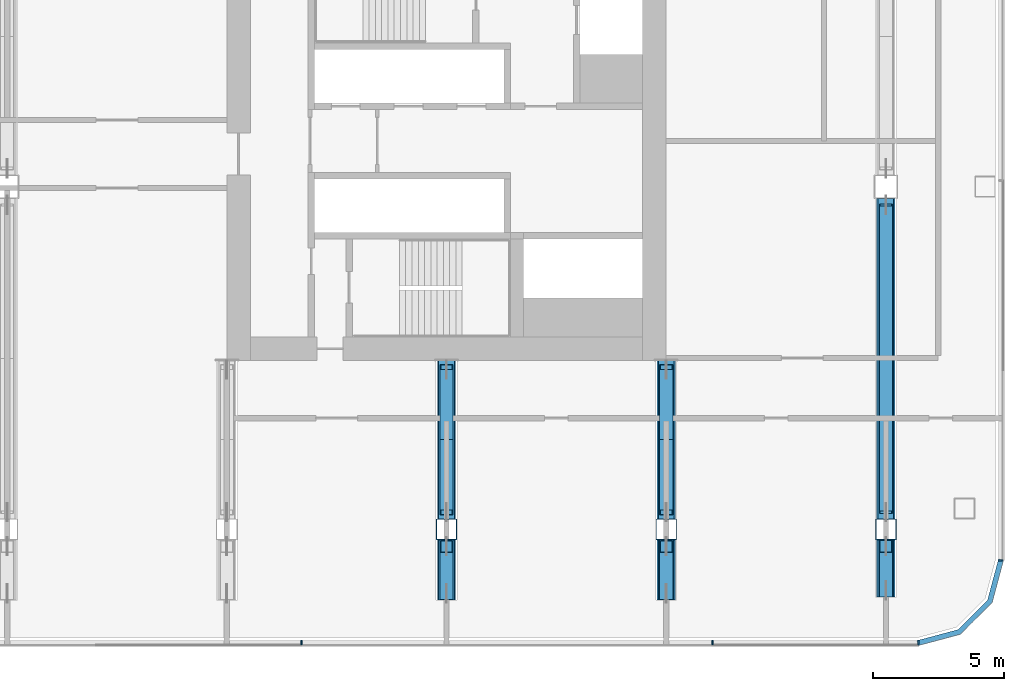
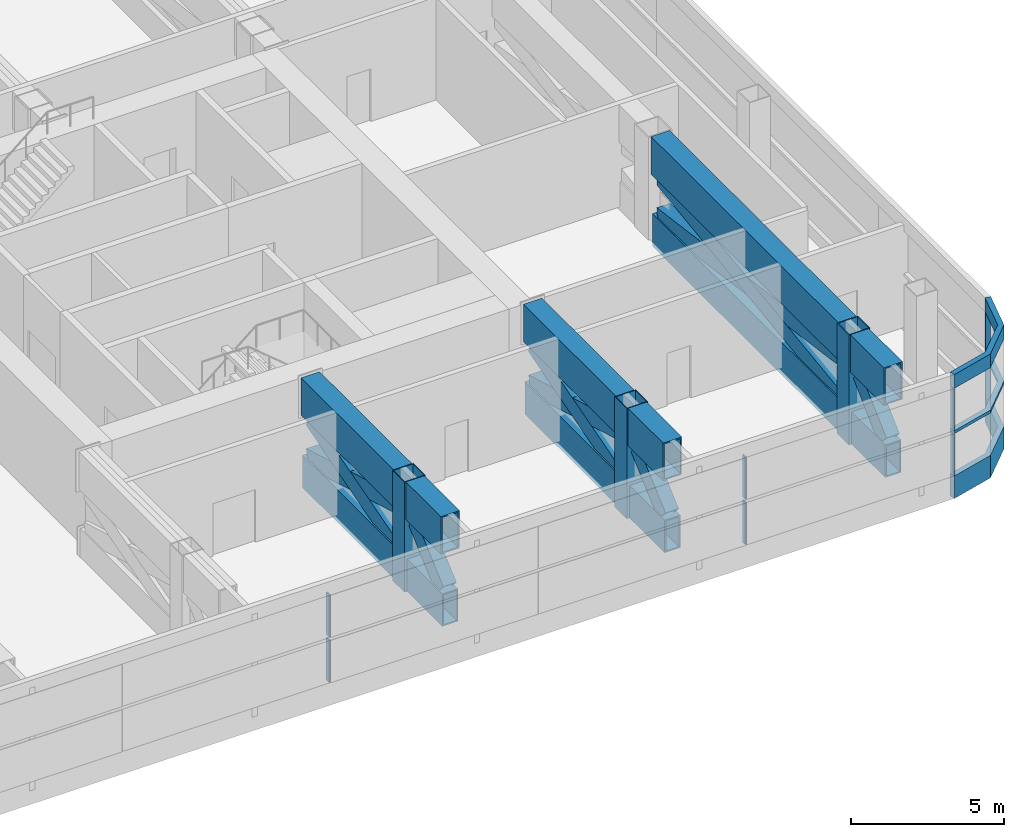
# One storey, part 13 of 31: 35 members, 3 elements without a shape of their own.
"""IFC4 building model written with IfcOpenShell, lengths in metres."""

from ifc_helpers import new_model, si_unit, direction, frame, origin, origin_2d, place, context, subcontext, project, spatial, polyline, rectangle, hollow_rectangle, outline, extrude, material, layer, layer_set, material_profile, profile_set, type_object, element, aggregate, save


model = new_model("IFC4")

# Units and contexts
model_context = context("Model", 3, precision=1e-05, world=origin(), true_north=direction((0.0, 1.0)))
body_context = subcontext(model_context, "Body", "Model", "MODEL_VIEW")
ifc_project = project(units=[si_unit("LENGTHUNIT", "METRE"), si_unit("AREAUNIT", "SQUARE_METRE"), si_unit("VOLUMEUNIT", "CUBIC_METRE"), si_unit("PLANEANGLEUNIT", "RADIAN"), si_unit("MASSUNIT", "GRAM", prefix="KILO")], contexts=[model_context])

# Site, building, storey
site_placement = place(None, origin())
site = spatial("IfcSite", under=ifc_project, at=site_placement, CompositionType="ELEMENT")
building_placement = place(site_placement, origin())
building = spatial("IfcBuilding", under=site, at=building_placement, Name="Hakoniwa Tower and Hamabe Station Hall", CompositionType="ELEMENT")
storey_placement = place(building_placement, frame((0.0, 0.0, 120.199951171875)))
storey = spatial("IfcBuildingStorey", under=building, at=storey_placement, Name="L34", CompositionType="ELEMENT", Elevation=120.199951171875)

# Curtain wall, members
ifc_material_1 = material(Name="Dark low-e laminated glass", Category="glass")
ifc_layer = layer(ifc_material_1, 0.199951171875)
ifc_layer_set = layer_set([ifc_layer], Name="CW-6 PLANT LOUVRE")
curtain_wall_type = type_object("IfcCurtainWallType", Name="CW-6 PLANT LOUVRE", PredefinedType="NOTDEFINED", material=ifc_layer_set)
curtain_wall_1_placement = place(storey_placement, origin())
curtain_wall_1 = element("IfcCurtainWall", 1, at=curtain_wall_1_placement, inside=storey, type_object=curtain_wall_type, Name="CW-6 curtain wall", PredefinedType="NOTDEFINED")
ifc_material_2 = material(Name="Aluminium 6063-T5 black anodised", Category="aluminium")
ifc_material_profile_1 = material_profile(ifc_material_2, rectangle(XDim=0.199951171875, YDim=0.550048828125, at=origin_2d()), Name="CW HEAD BAND 550X200")
ifc_profile_set_1 = profile_set([ifc_material_profile_1], Name="Aluminium 6063-T5 black anodised")
member_type_1 = type_object("IfcMemberType", Name="CW HEAD BAND 550X200", PredefinedType="USERDEFINED", material=ifc_profile_set_1)
member_1_placement = place(storey_placement, frame((0.0, 0.0, 3.85009765625)))
member_1 = element("IfcMember", 2, at=member_1_placement, type_object=member_type_1, Name="CW-6 transom", ObjectType="TRANSOM", PredefinedType="USERDEFINED", context=body_context, shape_type="SweptSolid", body=[
    extrude(outline(polyline([(43.239501953125, -19.300048828125), (44.855224609375, -18.866943359375), (46.067138671875, -17.6552734375), (46.5, -16.03955078125), (46.306884765625, -15.98779296875), (45.8876953125, -17.5517578125), (44.751708984375, -18.687744140625), (43.187744140625, -19.10693359375), (43.239501953125, -19.300048828125)])), origin(), (0.0, 0.0, 1.0), 0.550048828125),
])
ifc_material_3 = material(Name="Aluminium 6063-T5 black anodised", Category="aluminium")
ifc_material_profile_2 = material_profile(ifc_material_3, rectangle(XDim=0.199951171875, YDim=0.1201171875, at=origin_2d()), Name="CW MID TRANSOM 120X200")
ifc_profile_set_2 = profile_set([ifc_material_profile_2], Name="Aluminium 6063-T5 black anodised")
member_type_2 = type_object("IfcMemberType", Name="CW MID TRANSOM 120X200", PredefinedType="USERDEFINED", material=ifc_profile_set_2)
member_2_placement = place(storey_placement, frame((0.0, 0.0, 2.0400390625)))
member_2 = element("IfcMember", 3, at=member_2_placement, type_object=member_type_2, Name="CW-6 transom", ObjectType="TRANSOM", PredefinedType="USERDEFINED", context=body_context, shape_type="SweptSolid", body=[
    extrude(outline(polyline([(43.239501953125, -19.300048828125), (44.855224609375, -18.866943359375), (46.067138671875, -17.6552734375), (46.5, -16.03955078125), (46.306884765625, -15.98779296875), (45.8876953125, -17.5517578125), (44.751708984375, -18.687744140625), (43.187744140625, -19.10693359375), (43.239501953125, -19.300048828125)])), origin(), (0.0, 0.0, 1.0), 0.1201171875),
])
ifc_material_4 = material(Name="Aluminium 6063-T5 black anodised", Category="aluminium")
ifc_material_profile_3 = material_profile(ifc_material_4, rectangle(XDim=0.199951171875, YDim=0.89990234375, at=origin_2d()), Name="CW SLAB-EDGE BAND 900X200")
ifc_profile_set_3 = profile_set([ifc_material_profile_3], Name="Aluminium 6063-T5 black anodised")
member_type_3 = type_object("IfcMemberType", Name="CW SLAB-EDGE BAND 900X200", PredefinedType="USERDEFINED", material=ifc_profile_set_3)
member_3_placement = place(storey_placement, frame((0.0, 0.0, -0.550048828125)))
member_3 = element("IfcMember", 4, at=member_3_placement, type_object=member_type_3, Name="CW-6 transom", ObjectType="TRANSOM", PredefinedType="USERDEFINED", context=body_context, shape_type="SweptSolid", body=[
    extrude(outline(polyline([(43.239501953125, -19.300048828125), (44.855224609375, -18.866943359375), (46.067138671875, -17.6552734375), (46.5, -16.03955078125), (46.306884765625, -15.98779296875), (45.8876953125, -17.5517578125), (44.751708984375, -18.687744140625), (43.187744140625, -19.10693359375), (43.239501953125, -19.300048828125)])), origin(), (0.0, 0.0, 1.0), 0.900146484375),
])
aggregate(curtain_wall_1, [member_3, member_2, member_1])

curtain_wall_2_placement = place(storey_placement, origin())
curtain_wall_2 = element("IfcCurtainWall", 5, at=curtain_wall_2_placement, inside=storey, type_object=curtain_wall_type, Name="CW-6 curtain wall", PredefinedType="NOTDEFINED")
ifc_material_5 = material(Name="Aluminium 6063-T5 black anodised", Category="aluminium")
ifc_material_profile_4 = material_profile(ifc_material_5, rectangle(XDim=0.06005859375, YDim=0.179931640625, at=origin_2d()), Name="CW-1 MULLION 60X180")
ifc_profile_set_4 = profile_set([ifc_material_profile_4], Name="Aluminium 6063-T5 black anodised")
member_type_4 = type_object("IfcMemberType", Name="CW-1 MULLION 60X180", PredefinedType="MULLION", material=ifc_profile_set_4)
member_4_placement = place(storey_placement, frame((46.382080078125, -16.03955078125, 0.35009765625), z_axis=(0.0, 0.0, 1.0), x_axis=(0.0, 1.0, 0.0)))
member_4 = element("IfcMember", 6, at=member_4_placement, type_object=member_type_4, Name="CW-6 mullion", PredefinedType="MULLION", context=body_context, shape_type="SweptSolid", body=[
    extrude(rectangle(XDim=0.06005859375, YDim=0.179931640625, at=origin_2d()), origin(), (0.0, 0.0, 1.0), 1.68994140625),
])
member_5_placement = place(storey_placement, frame((46.382080078125, -16.03955078125, 2.16015625), z_axis=(0.0, 0.0, 1.0), x_axis=(0.0, 1.0, 0.0)))
member_5 = element("IfcMember", 7, at=member_5_placement, type_object=member_type_4, Name="CW-6 mullion", PredefinedType="MULLION", context=body_context, shape_type="SweptSolid", body=[
    extrude(rectangle(XDim=0.06005859375, YDim=0.179931640625, at=origin_2d()), origin(), (0.0, 0.0, 1.0), 1.68994140625),
])
aggregate(curtain_wall_2, [member_4, member_5])

curtain_wall_3_placement = place(storey_placement, origin())
curtain_wall_3 = element("IfcCurtainWall", 8, at=curtain_wall_3_placement, inside=storey, type_object=curtain_wall_type, Name="CW-6 curtain wall", PredefinedType="NOTDEFINED")
member_6_placement = place(storey_placement, frame((19.654296875, -19.181884765625, 0.35009765625), z_axis=(0.0, 0.0, 1.0), x_axis=(1.0, 0.0, 0.0)))
member_6 = element("IfcMember", 9, at=member_6_placement, type_object=member_type_4, Name="CW-6 mullion", PredefinedType="MULLION", context=body_context, shape_type="SweptSolid", body=[
    extrude(rectangle(XDim=0.06005859375, YDim=0.179931640625, at=origin_2d()), origin(), (0.0, 0.0, 1.0), 1.68994140625),
])
member_7_placement = place(storey_placement, frame((19.654296875, -19.181884765625, 2.16015625), z_axis=(0.0, 0.0, 1.0), x_axis=(1.0, 0.0, 0.0)))
member_7 = element("IfcMember", 10, at=member_7_placement, type_object=member_type_4, Name="CW-6 mullion", PredefinedType="MULLION", context=body_context, shape_type="SweptSolid", body=[
    extrude(rectangle(XDim=0.06005859375, YDim=0.179931640625, at=origin_2d()), origin(), (0.0, 0.0, 1.0), 1.68994140625),
])
member_8_placement = place(storey_placement, frame((35.377685546875, -19.181884765625, 0.35009765625), z_axis=(0.0, 0.0, 1.0), x_axis=(1.0, 0.0, 0.0)))
member_8 = element("IfcMember", 11, at=member_8_placement, type_object=member_type_4, Name="CW-6 mullion", PredefinedType="MULLION", context=body_context, shape_type="SweptSolid", body=[
    extrude(rectangle(XDim=0.06005859375, YDim=0.179931640625, at=origin_2d()), origin(), (0.0, 0.0, 1.0), 1.68994140625),
])
member_9_placement = place(storey_placement, frame((35.377685546875, -19.181884765625, 2.16015625), z_axis=(0.0, 0.0, 1.0), x_axis=(1.0, 0.0, 0.0)))
member_9 = element("IfcMember", 12, at=member_9_placement, type_object=member_type_4, Name="CW-6 mullion", PredefinedType="MULLION", context=body_context, shape_type="SweptSolid", body=[
    extrude(rectangle(XDim=0.06005859375, YDim=0.179931640625, at=origin_2d()), origin(), (0.0, 0.0, 1.0), 1.68994140625),
])
member_10_placement = place(storey_placement, frame((43.239501953125, -19.181884765625, 0.35009765625), z_axis=(0.0, 0.0, 1.0), x_axis=(1.0, 0.0, 0.0)))
member_10 = element("IfcMember", 13, at=member_10_placement, type_object=member_type_4, Name="CW-6 mullion", PredefinedType="MULLION", context=body_context, shape_type="SweptSolid", body=[
    extrude(rectangle(XDim=0.06005859375, YDim=0.179931640625, at=origin_2d()), origin(), (0.0, 0.0, 1.0), 1.68994140625),
])
member_11_placement = place(storey_placement, frame((43.239501953125, -19.181884765625, 2.16015625), z_axis=(0.0, 0.0, 1.0), x_axis=(1.0, 0.0, 0.0)))
member_11 = element("IfcMember", 14, at=member_11_placement, type_object=member_type_4, Name="CW-6 mullion", PredefinedType="MULLION", context=body_context, shape_type="SweptSolid", body=[
    extrude(rectangle(XDim=0.06005859375, YDim=0.179931640625, at=origin_2d()), origin(), (0.0, 0.0, 1.0), 1.68994140625),
])
aggregate(curtain_wall_3, [member_6, member_7, member_8, member_9, member_10, member_11])

# Members
ifc_material_6 = material(Name="Steel SN490C", Category="steel")
ifc_material_profile_5 = material_profile(ifc_material_6, hollow_rectangle(XDim=0.60009765625, YDim=1.300048828125, WallThickness=0.050048828125, at=origin_2d()), Name="BX-1300x600x50")
ifc_profile_set_5 = profile_set([ifc_material_profile_5], Name="Steel SN490C")
member_type_5 = type_object("IfcMemberType", Name="TRUSS CHORD BX-1300x600x50", PredefinedType="CHORD", material=ifc_profile_set_5)
member_12_placement = place(storey_placement, frame((25.199951171875, -14.449951171875, 0.35009765625), z_axis=(0.0, 1.0, 0.0), x_axis=(-1.0, 0.0, 0.0)))
element("IfcMember", 15, at=member_12_placement, inside=storey, type_object=member_type_5, Name="Truss T2-16-BC01", PredefinedType="CHORD", context=body_context, shape_type="SweptSolid", body=[
    extrude(hollow_rectangle(XDim=0.60009765625, YDim=1.300048828125, WallThickness=0.050048828125, at=origin_2d()), origin(), (0.0, 0.0, 1.0), 6.050048828125),
])
member_13_placement = place(storey_placement, frame((25.199951171875, -17.550048828125, 0.35009765625), z_axis=(0.0, 1.0, 0.0), x_axis=(-1.0, 0.0, 0.0)))
element("IfcMember", 16, at=member_13_placement, inside=storey, type_object=member_type_5, Name="Truss T2-16-BCL", PredefinedType="CHORD", context=body_context, shape_type="SweptSolid", body=[
    extrude(hollow_rectangle(XDim=0.60009765625, YDim=1.300048828125, WallThickness=0.050048828125, at=origin_2d()), origin(), (0.0, 0.0, 1.0), 2.300048828125),
])
member_14_placement = place(storey_placement, frame((33.60009765625, -14.449951171875, 0.35009765625), z_axis=(0.0, 1.0, 0.0), x_axis=(-1.0, 0.0, 0.0)))
element("IfcMember", 17, at=member_14_placement, inside=storey, type_object=member_type_5, Name="Truss T2-18-BC01", PredefinedType="CHORD", context=body_context, shape_type="SweptSolid", body=[
    extrude(hollow_rectangle(XDim=0.60009765625, YDim=1.300048828125, WallThickness=0.050048828125, at=origin_2d()), origin(), (0.0, 0.0, 1.0), 6.050048828125),
])
member_15_placement = place(storey_placement, frame((33.60009765625, -17.550048828125, 0.35009765625), z_axis=(0.0, 1.0, 0.0), x_axis=(-1.0, 0.0, 0.0)))
element("IfcMember", 18, at=member_15_placement, inside=storey, type_object=member_type_5, Name="Truss T2-18-BCL", PredefinedType="CHORD", context=body_context, shape_type="SweptSolid", body=[
    extrude(hollow_rectangle(XDim=0.60009765625, YDim=1.300048828125, WallThickness=0.050048828125, at=origin_2d()), origin(), (0.0, 0.0, 1.0), 2.300048828125),
])
member_16_placement = place(storey_placement, frame((42.0, -14.449951171875, 0.35009765625), z_axis=(0.0, 1.0, 0.0), x_axis=(-1.0, 0.0, 0.0)))
element("IfcMember", 19, at=member_16_placement, inside=storey, type_object=member_type_5, Name="Truss T2-21-BC01", PredefinedType="CHORD", context=body_context, shape_type="SweptSolid", body=[
    extrude(hollow_rectangle(XDim=0.60009765625, YDim=1.300048828125, WallThickness=0.050048828125, at=origin_2d()), origin(), (0.0, 0.0, 1.0), 12.25),
])
member_17_placement = place(storey_placement, frame((42.0, -17.444091796875, 0.35009765625), z_axis=(0.0, 1.0, 0.0), x_axis=(-1.0, 0.0, 0.0)))
element("IfcMember", 20, at=member_17_placement, inside=storey, type_object=member_type_5, Name="Truss T2-21-BCL", PredefinedType="CHORD", context=body_context, shape_type="SweptSolid", body=[
    extrude(hollow_rectangle(XDim=0.60009765625, YDim=1.300048828125, WallThickness=0.050048828125, at=origin_2d()), origin(), (0.0, 0.0, 1.0), 2.194091796875),
])
ifc_material_7 = material(Name="Steel SN490C", Category="steel")
ifc_material_profile_6 = material_profile(ifc_material_7, hollow_rectangle(XDim=0.699951171875, YDim=1.5, WallThickness=0.054931640625, at=origin_2d()), Name="BX-1500x700x55")
ifc_profile_set_6 = profile_set([ifc_material_profile_6], Name="Steel SN490C")
member_type_6 = type_object("IfcMemberType", Name="TRUSS CHORD BX-1500x700x55", PredefinedType="CHORD", material=ifc_profile_set_6)
member_18_placement = place(storey_placement, frame((25.199951171875, -14.449951171875, 3.35009765625), z_axis=(0.0, 1.0, 0.0), x_axis=(-1.0, 0.0, 0.0)))
element("IfcMember", 21, at=member_18_placement, inside=storey, type_object=member_type_6, Name="Truss T2-16-TC01", PredefinedType="CHORD", context=body_context, shape_type="SweptSolid", body=[
    extrude(hollow_rectangle(XDim=0.699951171875, YDim=1.5, WallThickness=0.054931640625, at=origin_2d()), origin(), (0.0, 0.0, 1.0), 6.050048828125),
])
member_19_placement = place(storey_placement, frame((25.199951171875, -17.550048828125, 3.35009765625), z_axis=(0.0, 1.0, 0.0), x_axis=(-1.0, 0.0, 0.0)))
element("IfcMember", 22, at=member_19_placement, inside=storey, type_object=member_type_6, Name="Truss T2-16-TCL", PredefinedType="CHORD", context=body_context, shape_type="SweptSolid", body=[
    extrude(hollow_rectangle(XDim=0.699951171875, YDim=1.5, WallThickness=0.054931640625, at=origin_2d()), origin(), (0.0, 0.0, 1.0), 2.300048828125),
])
member_20_placement = place(storey_placement, frame((33.60009765625, -14.449951171875, 3.35009765625), z_axis=(0.0, 1.0, 0.0), x_axis=(-1.0, 0.0, 0.0)))
element("IfcMember", 23, at=member_20_placement, inside=storey, type_object=member_type_6, Name="Truss T2-18-TC01", PredefinedType="CHORD", context=body_context, shape_type="SweptSolid", body=[
    extrude(hollow_rectangle(XDim=0.699951171875, YDim=1.5, WallThickness=0.054931640625, at=origin_2d()), origin(), (0.0, 0.0, 1.0), 6.050048828125),
])
member_21_placement = place(storey_placement, frame((33.60009765625, -17.550048828125, 3.35009765625), z_axis=(0.0, 1.0, 0.0), x_axis=(-1.0, 0.0, 0.0)))
element("IfcMember", 24, at=member_21_placement, inside=storey, type_object=member_type_6, Name="Truss T2-18-TCL", PredefinedType="CHORD", context=body_context, shape_type="SweptSolid", body=[
    extrude(hollow_rectangle(XDim=0.699951171875, YDim=1.5, WallThickness=0.054931640625, at=origin_2d()), origin(), (0.0, 0.0, 1.0), 2.300048828125),
])
member_22_placement = place(storey_placement, frame((42.0, -14.449951171875, 3.35009765625), z_axis=(0.0, 1.0, 0.0), x_axis=(-1.0, 0.0, 0.0)))
element("IfcMember", 25, at=member_22_placement, inside=storey, type_object=member_type_6, Name="Truss T2-21-TC01", PredefinedType="CHORD", context=body_context, shape_type="SweptSolid", body=[
    extrude(hollow_rectangle(XDim=0.699951171875, YDim=1.5, WallThickness=0.054931640625, at=origin_2d()), origin(), (0.0, 0.0, 1.0), 12.25),
])
member_23_placement = place(storey_placement, frame((42.0, -17.444091796875, 3.35009765625), z_axis=(0.0, 1.0, 0.0), x_axis=(-1.0, 0.0, 0.0)))
element("IfcMember", 26, at=member_23_placement, inside=storey, type_object=member_type_6, Name="Truss T2-21-TCL", PredefinedType="CHORD", context=body_context, shape_type="SweptSolid", body=[
    extrude(hollow_rectangle(XDim=0.699951171875, YDim=1.5, WallThickness=0.054931640625, at=origin_2d()), origin(), (0.0, 0.0, 1.0), 2.194091796875),
])
ifc_material_8 = material(Name="Steel SN490C", Category="steel")
ifc_material_profile_7 = material_profile(ifc_material_8, hollow_rectangle(XDim=0.5, YDim=0.699951171875, WallThickness=0.031982421875, at=origin_2d()), Name="BX-700x500x32")
ifc_profile_set_7 = profile_set([ifc_material_profile_7], Name="Steel SN490C")
member_type_7 = type_object("IfcMemberType", Name="TRUSS DIAGONAL BX-700x500x32", PredefinedType="BRACE", material=ifc_profile_set_7)
for number, where, z_axis, x_axis, name in (
    (27, (25.199951171875, -14.199951171875, 1.0), (0.0, 0.960864058901, 0.277020324728), (-1.0, 0.0, 0.0), "Truss T2-16-D01a"),
    (28, (25.199951171875, -14.199951171875, 2.60009765625), (0.0, 0.960864058901, -0.277020324728), (-1.0, 0.0, 0.0), "Truss T2-16-D01b"),
):
    element("IfcMember", number, at=place(storey_placement, frame(where, z_axis=z_axis, x_axis=x_axis)), inside=storey, type_object=member_type_7, Name=name, PredefinedType="BRACE", context=body_context, shape_type="SweptSolid", body=[
        extrude(hollow_rectangle(XDim=0.5, YDim=0.699951171875, WallThickness=0.031982421875, at=origin_2d()), origin(), (0.0, 0.0, 1.0), 5.776123046875),
    ])
member_24_placement = place(storey_placement, frame((25.199951171875, -17.300048828125, 1.0), z_axis=(0.0, 0.747398132966, 0.664376422549), x_axis=(-1.0, 0.0, 0.0)))
element("IfcMember", 29, at=member_24_placement, inside=storey, type_object=member_type_7, Name="Truss T2-16-DLa", PredefinedType="BRACE", context=body_context, shape_type="SweptSolid", body=[
    extrude(hollow_rectangle(XDim=0.5, YDim=0.699951171875, WallThickness=0.031982421875, at=origin_2d()), origin(), (0.0, 0.0, 1.0), 2.408447265625),
])
for number, where, z_axis, x_axis, name in (
    (30, (33.60009765625, -14.199951171875, 1.0), (0.0, 0.960864058901, 0.277020324728), (-1.0, 0.0, 0.0), "Truss T2-18-D01a"),
    (31, (33.60009765625, -14.199951171875, 2.60009765625), (0.0, 0.960864058901, -0.277020324728), (-1.0, 0.0, 0.0), "Truss T2-18-D01b"),
):
    element("IfcMember", number, at=place(storey_placement, frame(where, z_axis=z_axis, x_axis=x_axis)), inside=storey, type_object=member_type_7, Name=name, PredefinedType="BRACE", context=body_context, shape_type="SweptSolid", body=[
        extrude(hollow_rectangle(XDim=0.5, YDim=0.699951171875, WallThickness=0.031982421875, at=origin_2d()), origin(), (0.0, 0.0, 1.0), 5.776123046875),
    ])
member_25_placement = place(storey_placement, frame((33.60009765625, -17.300048828125, 1.0), z_axis=(0.0, 0.747398132966, 0.664376422549), x_axis=(-1.0, 0.0, 0.0)))
element("IfcMember", 32, at=member_25_placement, inside=storey, type_object=member_type_7, Name="Truss T2-18-DLa", PredefinedType="BRACE", context=body_context, shape_type="SweptSolid", body=[
    extrude(hollow_rectangle(XDim=0.5, YDim=0.699951171875, WallThickness=0.031982421875, at=origin_2d()), origin(), (0.0, 0.0, 1.0), 2.408447265625),
])
for number, where, z_axis, x_axis, name in (
    (33, (42.0, -14.199951171875, 1.0), (0.0, 0.99085470683, 0.134933131411), (-1.0, 0.0, 0.0), "Truss T2-21-D01a"),
    (34, (42.0, -14.199951171875, 2.60009765625), (0.0, 0.99085470683, -0.134933131411), (-1.0, 0.0, 0.0), "Truss T2-21-D01b"),
):
    element("IfcMember", number, at=place(storey_placement, frame(where, z_axis=z_axis, x_axis=x_axis)), inside=storey, type_object=member_type_7, Name=name, PredefinedType="BRACE", context=body_context, shape_type="SweptSolid", body=[
        extrude(hollow_rectangle(XDim=0.5, YDim=0.699951171875, WallThickness=0.031982421875, at=origin_2d()), origin(), (0.0, 0.0, 1.0), 11.8583984375),
    ])
member_26_placement = place(storey_placement, frame((42.0, -17.194091796875, 1.0), z_axis=(0.0, 0.726987002684, 0.686651220001), x_axis=(-1.0, 0.0, 0.0)))
element("IfcMember", 35, at=member_26_placement, inside=storey, type_object=member_type_7, Name="Truss T2-21-DLa", PredefinedType="BRACE", context=body_context, shape_type="SweptSolid", body=[
    extrude(hollow_rectangle(XDim=0.5, YDim=0.699951171875, WallThickness=0.031982421875, at=origin_2d()), origin(), (0.0, 0.0, 1.0), 2.330322265625),
])
ifc_material_9 = material(Name="Steel SN490C", Category="steel")
ifc_material_profile_8 = material_profile(ifc_material_9, hollow_rectangle(XDim=0.800048828125, YDim=0.800048828125, WallThickness=0.031982421875, at=origin_2d()), Name="BX-800x800x32")
ifc_profile_set_8 = profile_set([ifc_material_profile_8], Name="Steel SN490C")
member_type_8 = type_object("IfcMemberType", Name="TRUSS POST BX-800x800x32", PredefinedType="POST", material=ifc_profile_set_8)
for number, where, z_axis, x_axis, name in (
    (36, (25.199951171875, -14.85009765625, -0.300048828125), (0.0, 0.0, 1.0), (1.0, 0.0, 0.0), "Truss T2-16-P01"),
    (37, (33.60009765625, -14.85009765625, -0.300048828125), (0.0, 0.0, 1.0), (1.0, 0.0, 0.0), "Truss T2-18-P01"),
    (38, (42.0, -14.85009765625, -0.300048828125), (0.0, 0.0, 1.0), (1.0, 0.0, 0.0), "Truss T2-21-P01"),
):
    element("IfcMember", number, at=place(storey_placement, frame(where, z_axis=z_axis, x_axis=x_axis)), inside=storey, type_object=member_type_8, Name=name, PredefinedType="POST", context=body_context, shape_type="SweptSolid", body=[
        extrude(hollow_rectangle(XDim=0.800048828125, YDim=0.800048828125, WallThickness=0.031982421875, at=origin_2d()), origin(), (0.0, 0.0, 1.0), 4.400146484375),
    ])

save(model, "model.ifc")
